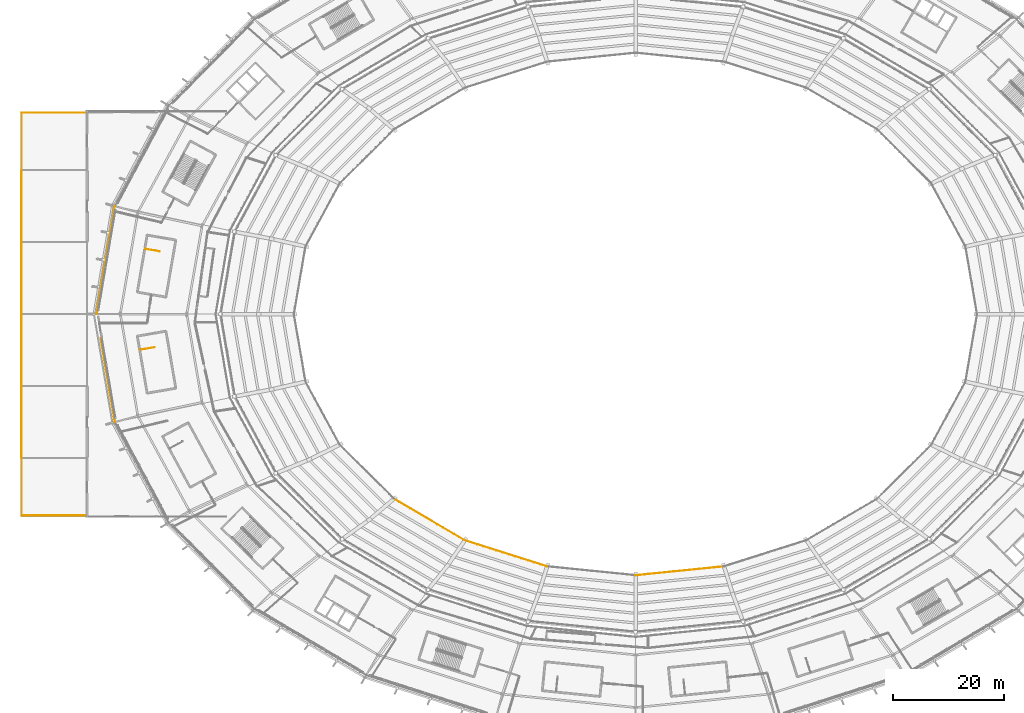
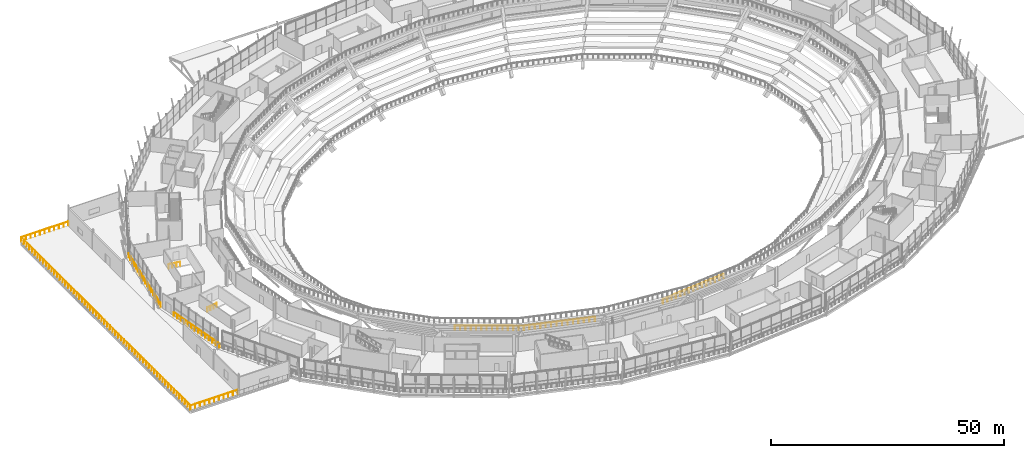
# One storey, part 111 of 126: 8 railings.
"""IFC4 building model written with IfcOpenShell, lengths in metres."""

from ifc_helpers import new_model, si_unit, direction, frame, origin, origin_2d, place, context, subcontext, project, spatial, rectangle, extrude, material, type_object, element, save


model = new_model("IFC4")

# Units and contexts
model_context = context("Model", 3, precision=1e-05, world=origin(), true_north=direction((0.0, 1.0)))
body_context = subcontext(model_context, "Body", "Model", "MODEL_VIEW")
ifc_project = project(units=[si_unit("LENGTHUNIT", "METRE"), si_unit("AREAUNIT", "SQUARE_METRE"), si_unit("VOLUMEUNIT", "CUBIC_METRE"), si_unit("PLANEANGLEUNIT", "RADIAN"), si_unit("MASSUNIT", "GRAM", prefix="KILO")], contexts=[model_context])

# Site, building, storey
site_placement = place(None, origin())
site = spatial("IfcSite", under=ifc_project, at=site_placement, CompositionType="ELEMENT")
building_placement = place(site_placement, origin())
building = spatial("IfcBuilding", under=site, at=building_placement, Name="Zlatoyarsky Gate Stadium", CompositionType="ELEMENT")
storey_placement = place(building_placement, frame((0.0, 0.0, 20.800048828125)))
storey = spatial("IfcBuildingStorey", under=building, at=storey_placement, Name="L04", CompositionType="ELEMENT", Elevation=20.800048828125)

# Railings
ifc_material_1 = material(Name="Galvanised steel sightline guardrail", Category="steel")
railing_type_1 = type_object("IfcRailingType", Name="BOWL FRONT SIGHTLINE GUARDRAIL 1150", PredefinedType="GUARDRAIL", material=ifc_material_1)
railing_1_placement = place(storey_placement, frame((67.406982421875, 46.659912109375, -4.400146484375)))
element("IfcRailing", 1, at=railing_1_placement, inside=storey, type_object=railing_type_1, Name="Upper bowl front guardrail 15", PredefinedType="GUARDRAIL", context=body_context, shape_type="SweptSolid", body=[
    extrude(rectangle(XDim=0.048095703125, YDim=0.048095703125, at=origin_2d()), frame((0.0, 0.0, 1.1259765625), z_axis=(0.862456472838, -0.506131240351, 0.0), x_axis=(0.506131240351, 0.862456472838, 0.0)), (0.0, 0.0, 1.0), 14.80419921875),
    extrude(rectangle(XDim=0.0419921875, YDim=0.0419921875, at=origin_2d()), origin(), (0.0, 0.0, 1.0), 1.101806640625),
    extrude(rectangle(XDim=0.0419921875, YDim=0.0419921875, at=origin_2d()), frame((0.982177734375, -0.576416015625, 0.0)), (0.0, 0.0, 1.0), 1.101806640625),
    extrude(rectangle(XDim=0.0419921875, YDim=0.0419921875, at=origin_2d()), frame((1.96435546875, -1.15283203125, 0.0)), (0.0, 0.0, 1.0), 1.101806640625),
    extrude(rectangle(XDim=0.0419921875, YDim=0.0419921875, at=origin_2d()), frame((2.946533203125, -1.729248046875, 0.0)), (0.0, 0.0, 1.0), 1.101806640625),
    extrude(rectangle(XDim=0.0419921875, YDim=0.0419921875, at=origin_2d()), frame((3.9287109375, -2.305419921875, 0.0)), (0.0, 0.0, 1.0), 1.101806640625),
    extrude(rectangle(XDim=0.0419921875, YDim=0.0419921875, at=origin_2d()), frame((4.910888671875, -2.8818359375, 0.0)), (0.0, 0.0, 1.0), 1.101806640625),
    extrude(rectangle(XDim=0.0419921875, YDim=0.0419921875, at=origin_2d()), frame((5.89306640625, -3.458251953125, 0.0)), (0.0, 0.0, 1.0), 1.101806640625),
    extrude(rectangle(XDim=0.0419921875, YDim=0.0419921875, at=origin_2d()), frame((6.875, -4.03466796875, 0.0)), (0.0, 0.0, 1.0), 1.101806640625),
    extrude(rectangle(XDim=0.0419921875, YDim=0.0419921875, at=origin_2d()), frame((7.857177734375, -4.611083984375, 0.0)), (0.0, 0.0, 1.0), 1.101806640625),
    extrude(rectangle(XDim=0.0419921875, YDim=0.0419921875, at=origin_2d()), frame((8.83935546875, -5.1875, 0.0)), (0.0, 0.0, 1.0), 1.101806640625),
    extrude(rectangle(XDim=0.0419921875, YDim=0.0419921875, at=origin_2d()), frame((9.821533203125, -5.763671875, 0.0)), (0.0, 0.0, 1.0), 1.101806640625),
    extrude(rectangle(XDim=0.0419921875, YDim=0.0419921875, at=origin_2d()), frame((10.8037109375, -6.340087890625, 0.0)), (0.0, 0.0, 1.0), 1.101806640625),
    extrude(rectangle(XDim=0.0419921875, YDim=0.0419921875, at=origin_2d()), frame((11.785888671875, -6.91650390625, 0.0)), (0.0, 0.0, 1.0), 1.101806640625),
    extrude(rectangle(XDim=0.0419921875, YDim=0.0419921875, at=origin_2d()), frame((12.76806640625, -7.492919921875, 0.0)), (0.0, 0.0, 1.0), 1.101806640625),
])
railing_2_placement = place(storey_placement, frame((80.175048828125, 39.1669921875, -4.400146484375)))
element("IfcRailing", 2, at=railing_2_placement, inside=storey, type_object=railing_type_1, Name="Upper bowl front guardrail 16", PredefinedType="GUARDRAIL", context=body_context, shape_type="SweptSolid", body=[
    extrude(rectangle(XDim=0.048095703125, YDim=0.048095703125, at=origin_2d()), frame((0.0, 0.0, 1.1259765625), z_axis=(0.953304525626, -0.30201073064, 0.0), x_axis=(0.30201073064, 0.953304525626, 0.0)), (0.0, 0.0, 1.0), 15.596923828125),
    extrude(rectangle(XDim=0.0419921875, YDim=0.0419921875, at=origin_2d()), origin(), (0.0, 0.0, 1.0), 1.101806640625),
    extrude(rectangle(XDim=0.0419921875, YDim=0.0419921875, at=origin_2d()), frame((1.143798828125, -0.3623046875, 0.0)), (0.0, 0.0, 1.0), 1.101806640625),
    extrude(rectangle(XDim=0.0419921875, YDim=0.0419921875, at=origin_2d()), frame((2.28759765625, -0.724609375, 0.0)), (0.0, 0.0, 1.0), 1.101806640625),
    extrude(rectangle(XDim=0.0419921875, YDim=0.0419921875, at=origin_2d()), frame((3.43115234375, -1.0869140625, 0.0)), (0.0, 0.0, 1.0), 1.101806640625),
    extrude(rectangle(XDim=0.0419921875, YDim=0.0419921875, at=origin_2d()), frame((4.574951171875, -1.449462890625, 0.0)), (0.0, 0.0, 1.0), 1.101806640625),
    extrude(rectangle(XDim=0.0419921875, YDim=0.0419921875, at=origin_2d()), frame((5.71875, -1.811767578125, 0.0)), (0.0, 0.0, 1.0), 1.101806640625),
    extrude(rectangle(XDim=0.0419921875, YDim=0.0419921875, at=origin_2d()), frame((6.862548828125, -2.174072265625, 0.0)), (0.0, 0.0, 1.0), 1.101806640625),
    extrude(rectangle(XDim=0.0419921875, YDim=0.0419921875, at=origin_2d()), frame((8.006103515625, -2.536376953125, 0.0)), (0.0, 0.0, 1.0), 1.101806640625),
    extrude(rectangle(XDim=0.0419921875, YDim=0.0419921875, at=origin_2d()), frame((9.14990234375, -2.898681640625, 0.0)), (0.0, 0.0, 1.0), 1.101806640625),
    extrude(rectangle(XDim=0.0419921875, YDim=0.0419921875, at=origin_2d()), frame((10.293701171875, -3.260986328125, 0.0)), (0.0, 0.0, 1.0), 1.101806640625),
    extrude(rectangle(XDim=0.0419921875, YDim=0.0419921875, at=origin_2d()), frame((11.4375, -3.62353515625, 0.0)), (0.0, 0.0, 1.0), 1.101806640625),
    extrude(rectangle(XDim=0.0419921875, YDim=0.0419921875, at=origin_2d()), frame((12.5810546875, -3.98583984375, 0.0)), (0.0, 0.0, 1.0), 1.101806640625),
    extrude(rectangle(XDim=0.0419921875, YDim=0.0419921875, at=origin_2d()), frame((13.724853515625, -4.34814453125, 0.0)), (0.0, 0.0, 1.0), 1.101806640625),
    extrude(rectangle(XDim=0.0419921875, YDim=0.0419921875, at=origin_2d()), frame((14.86865234375, -4.71044921875, 0.0)), (0.0, 0.0, 1.0), 1.101806640625),
])
railing_3_placement = place(storey_placement, frame((111.0, 32.85009765625, -4.400146484375)))
element("IfcRailing", 3, at=railing_3_placement, inside=storey, type_object=railing_type_1, Name="Upper bowl front guardrail 18", PredefinedType="GUARDRAIL", context=body_context, shape_type="SweptSolid", body=[
    extrude(rectangle(XDim=0.048095703125, YDim=0.048095703125, at=origin_2d()), frame((0.0, 0.0, 1.1259765625), z_axis=(0.994970193255, 0.100171425733, 0.0), x_axis=(-0.100171425733, 0.994970193255, 0.0)), (0.0, 0.0, 1.0), 16.036865234375),
    extrude(rectangle(XDim=0.0419921875, YDim=0.0419921875, at=origin_2d()), origin(), (0.0, 0.0, 1.0), 1.101806640625),
    extrude(rectangle(XDim=0.0419921875, YDim=0.0419921875, at=origin_2d()), frame((1.1396484375, 0.11474609375, 0.0)), (0.0, 0.0, 1.0), 1.101806640625),
    extrude(rectangle(XDim=0.0419921875, YDim=0.0419921875, at=origin_2d()), frame((2.279541015625, 0.2294921875, 0.0)), (0.0, 0.0, 1.0), 1.101806640625),
    extrude(rectangle(XDim=0.0419921875, YDim=0.0419921875, at=origin_2d()), frame((3.419189453125, 0.34423828125, 0.0)), (0.0, 0.0, 1.0), 1.101806640625),
    extrude(rectangle(XDim=0.0419921875, YDim=0.0419921875, at=origin_2d()), frame((4.558837890625, 0.458984375, 0.0)), (0.0, 0.0, 1.0), 1.101806640625),
    extrude(rectangle(XDim=0.0419921875, YDim=0.0419921875, at=origin_2d()), frame((5.69873046875, 0.57373046875, 0.0)), (0.0, 0.0, 1.0), 1.101806640625),
    extrude(rectangle(XDim=0.0419921875, YDim=0.0419921875, at=origin_2d()), frame((6.83837890625, 0.6884765625, 0.0)), (0.0, 0.0, 1.0), 1.101806640625),
    extrude(rectangle(XDim=0.0419921875, YDim=0.0419921875, at=origin_2d()), frame((7.97802734375, 0.80322265625, 0.0)), (0.0, 0.0, 1.0), 1.101806640625),
    extrude(rectangle(XDim=0.0419921875, YDim=0.0419921875, at=origin_2d()), frame((9.117919921875, 0.91796875, 0.0)), (0.0, 0.0, 1.0), 1.101806640625),
    extrude(rectangle(XDim=0.0419921875, YDim=0.0419921875, at=origin_2d()), frame((10.257568359375, 1.03271484375, 0.0)), (0.0, 0.0, 1.0), 1.101806640625),
    extrude(rectangle(XDim=0.0419921875, YDim=0.0419921875, at=origin_2d()), frame((11.3974609375, 1.1474609375, 0.0)), (0.0, 0.0, 1.0), 1.101806640625),
    extrude(rectangle(XDim=0.0419921875, YDim=0.0419921875, at=origin_2d()), frame((12.537109375, 1.26220703125, 0.0)), (0.0, 0.0, 1.0), 1.101806640625),
    extrude(rectangle(XDim=0.0419921875, YDim=0.0419921875, at=origin_2d()), frame((13.6767578125, 1.376953125, 0.0)), (0.0, 0.0, 1.0), 1.101806640625),
    extrude(rectangle(XDim=0.0419921875, YDim=0.0419921875, at=origin_2d()), frame((14.816650390625, 1.49169921875, 0.0)), (0.0, 0.0, 1.0), 1.101806640625),
    extrude(rectangle(XDim=0.0419921875, YDim=0.0419921875, at=origin_2d()), frame((15.956298828125, 1.6064453125, 0.0)), (0.0, 0.0, 1.0), 1.101806640625),
])
ifc_material_2 = material(Name="Powder-coated steel tubular guardrail", Category="steel")
railing_type_2 = type_object("IfcRailingType", Name="CONCOURSE SLAB EDGE GUARDRAIL 1200", PredefinedType="GUARDRAIL", material=ifc_material_2)
railing_4_placement = place(storey_placement, frame((17.044921875, 99.481201171875, 0.0)))
element("IfcRailing", 4, at=railing_4_placement, inside=storey, type_object=railing_type_2, Name="L04 outer slab edge guardrail 11", PredefinedType="GUARDRAIL", context=body_context, shape_type="SweptSolid", body=[
    extrude(rectangle(XDim=0.048095703125, YDim=0.048095703125, at=origin_2d()), frame((0.0, 0.0, 1.17578125), z_axis=(-0.16772577451, -0.985833690115, 0.0), x_axis=(0.985833690115, -0.16772577451, 0.0)), (0.0, 0.0, 1.0), 19.76123046875),
    extrude(rectangle(XDim=0.0419921875, YDim=0.0419921875, at=origin_2d()), origin(), (0.0, 0.0, 1.0), 1.15185546875),
    extrude(rectangle(XDim=0.0419921875, YDim=0.0419921875, at=origin_2d()), frame((-0.195068359375, -1.14599609375, 0.0)), (0.0, 0.0, 1.0), 1.15185546875),
    extrude(rectangle(XDim=0.0419921875, YDim=0.0419921875, at=origin_2d()), frame((-0.389892578125, -2.2919921875, 0.0)), (0.0, 0.0, 1.0), 1.15185546875),
    extrude(rectangle(XDim=0.0419921875, YDim=0.0419921875, at=origin_2d()), frame((-0.5849609375, -3.437744140625, 0.0)), (0.0, 0.0, 1.0), 1.15185546875),
    extrude(rectangle(XDim=0.0419921875, YDim=0.0419921875, at=origin_2d()), frame((-0.77978515625, -4.583740234375, 0.0)), (0.0, 0.0, 1.0), 1.15185546875),
    extrude(rectangle(XDim=0.0419921875, YDim=0.0419921875, at=origin_2d()), frame((-0.974853515625, -5.729736328125, 0.0)), (0.0, 0.0, 1.0), 1.15185546875),
    extrude(rectangle(XDim=0.0419921875, YDim=0.0419921875, at=origin_2d()), frame((-1.169921875, -6.875732421875, 0.0)), (0.0, 0.0, 1.0), 1.15185546875),
    extrude(rectangle(XDim=0.0419921875, YDim=0.0419921875, at=origin_2d()), frame((-1.36474609375, -8.021728515625, 0.0)), (0.0, 0.0, 1.0), 1.15185546875),
    extrude(rectangle(XDim=0.0419921875, YDim=0.0419921875, at=origin_2d()), frame((-1.559814453125, -9.167724609375, 0.0)), (0.0, 0.0, 1.0), 1.15185546875),
    extrude(rectangle(XDim=0.0419921875, YDim=0.0419921875, at=origin_2d()), frame((-1.754638671875, -10.3134765625, 0.0)), (0.0, 0.0, 1.0), 1.15185546875),
    extrude(rectangle(XDim=0.0419921875, YDim=0.0419921875, at=origin_2d()), frame((-1.94970703125, -11.45947265625, 0.0)), (0.0, 0.0, 1.0), 1.15185546875),
    extrude(rectangle(XDim=0.0419921875, YDim=0.0419921875, at=origin_2d()), frame((-2.14453125, -12.60546875, 0.0)), (0.0, 0.0, 1.0), 1.15185546875),
    extrude(rectangle(XDim=0.0419921875, YDim=0.0419921875, at=origin_2d()), frame((-2.339599609375, -13.75146484375, 0.0)), (0.0, 0.0, 1.0), 1.15185546875),
    extrude(rectangle(XDim=0.0419921875, YDim=0.0419921875, at=origin_2d()), frame((-2.53466796875, -14.8974609375, 0.0)), (0.0, 0.0, 1.0), 1.15185546875),
    extrude(rectangle(XDim=0.0419921875, YDim=0.0419921875, at=origin_2d()), frame((-2.7294921875, -16.04345703125, 0.0)), (0.0, 0.0, 1.0), 1.15185546875),
    extrude(rectangle(XDim=0.0419921875, YDim=0.0419921875, at=origin_2d()), frame((-2.924560546875, -17.189208984375, 0.0)), (0.0, 0.0, 1.0), 1.15185546875),
    extrude(rectangle(XDim=0.0419921875, YDim=0.0419921875, at=origin_2d()), frame((-3.119384765625, -18.335205078125, 0.0)), (0.0, 0.0, 1.0), 1.15185546875),
    extrude(rectangle(XDim=0.0419921875, YDim=0.0419921875, at=origin_2d()), frame((-3.314453125, -19.481201171875, 0.0)), (0.0, 0.0, 1.0), 1.15185546875),
])
railing_5_placement = place(storey_placement, frame((14.476806640625, 75.613037109375, 0.0)))
element("IfcRailing", 5, at=railing_5_placement, inside=storey, type_object=railing_type_2, Name="L04 outer slab edge guardrail 12", PredefinedType="GUARDRAIL", context=body_context, shape_type="SweptSolid", body=[
    extrude(rectangle(XDim=0.048095703125, YDim=0.048095703125, at=origin_2d()), frame((0.0, 0.0, 1.17578125), z_axis=(0.167728460192, -0.98583323318, 0.0), x_axis=(0.98583323318, 0.167728460192, 0.0)), (0.0, 0.0, 1.0), 15.31103515625),
    extrude(rectangle(XDim=0.0419921875, YDim=0.0419921875, at=origin_2d()), origin(), (0.0, 0.0, 1.0), 1.15185546875),
    extrude(rectangle(XDim=0.0419921875, YDim=0.0419921875, at=origin_2d()), frame((0.197509765625, -1.1611328125, 0.0)), (0.0, 0.0, 1.0), 1.15185546875),
    extrude(rectangle(XDim=0.0419921875, YDim=0.0419921875, at=origin_2d()), frame((0.39501953125, -2.322265625, 0.0)), (0.0, 0.0, 1.0), 1.15185546875),
    extrude(rectangle(XDim=0.0419921875, YDim=0.0419921875, at=origin_2d()), frame((0.592529296875, -3.4833984375, 0.0)), (0.0, 0.0, 1.0), 1.15185546875),
    extrude(rectangle(XDim=0.0419921875, YDim=0.0419921875, at=origin_2d()), frame((0.790283203125, -4.644287109375, 0.0)), (0.0, 0.0, 1.0), 1.15185546875),
    extrude(rectangle(XDim=0.0419921875, YDim=0.0419921875, at=origin_2d()), frame((0.98779296875, -5.805419921875, 0.0)), (0.0, 0.0, 1.0), 1.15185546875),
    extrude(rectangle(XDim=0.0419921875, YDim=0.0419921875, at=origin_2d()), frame((1.185302734375, -6.966552734375, 0.0)), (0.0, 0.0, 1.0), 1.15185546875),
    extrude(rectangle(XDim=0.0419921875, YDim=0.0419921875, at=origin_2d()), frame((1.3828125, -8.127685546875, 0.0)), (0.0, 0.0, 1.0), 1.15185546875),
    extrude(rectangle(XDim=0.0419921875, YDim=0.0419921875, at=origin_2d()), frame((1.580322265625, -9.288818359375, 0.0)), (0.0, 0.0, 1.0), 1.15185546875),
    extrude(rectangle(XDim=0.0419921875, YDim=0.0419921875, at=origin_2d()), frame((1.77783203125, -10.449951171875, 0.0)), (0.0, 0.0, 1.0), 1.15185546875),
    extrude(rectangle(XDim=0.0419921875, YDim=0.0419921875, at=origin_2d()), frame((1.9755859375, -11.61083984375, 0.0)), (0.0, 0.0, 1.0), 1.15185546875),
    extrude(rectangle(XDim=0.0419921875, YDim=0.0419921875, at=origin_2d()), frame((2.173095703125, -12.77197265625, 0.0)), (0.0, 0.0, 1.0), 1.15185546875),
    extrude(rectangle(XDim=0.0419921875, YDim=0.0419921875, at=origin_2d()), frame((2.37060546875, -13.93310546875, 0.0)), (0.0, 0.0, 1.0), 1.15185546875),
    extrude(rectangle(XDim=0.0419921875, YDim=0.0419921875, at=origin_2d()), frame((2.568115234375, -15.09423828125, 0.0)), (0.0, 0.0, 1.0), 1.15185546875),
])
ifc_material_3 = material(Name="Laminated safety glass and stainless steel balustrade", Category="steel")
railing_type_3 = type_object("IfcRailingType", Name="LAMINATED GLASS AND STEEL TERRACE BALUSTRADE 1150", PredefinedType="BALUSTRADE", material=ifc_material_3)
railing_6_placement = place(storey_placement, frame((11.85009765625, 43.64990234375, 0.0)))
element("IfcRailing", 6, at=railing_6_placement, inside=storey, type_object=railing_type_3, Name="West L04 roof terrace perimeter balustrade", PredefinedType="BALUSTRADE", context=body_context, shape_type="SweptSolid", body=[
    extrude(rectangle(XDim=0.048095703125, YDim=0.048095703125, at=origin_2d()), frame((0.0, 0.0, 1.1259765625), z_axis=(-1.0, 0.0, 0.0), x_axis=(0.0, -1.0, 0.0)), (0.0, 0.0, 1.0), 11.7001953125),
    extrude(rectangle(XDim=0.048095703125, YDim=0.048095703125, at=origin_2d()), frame((-11.7001953125, 0.0, 1.1259765625), z_axis=(0.0, 1.0, 0.0), x_axis=(-1.0, 0.0, 0.0)), (0.0, 0.0, 1.0), 72.7001953125),
    extrude(rectangle(XDim=0.048095703125, YDim=0.048095703125, at=origin_2d()), frame((-11.7001953125, 72.7001953125, 1.1259765625), z_axis=(1.0, 0.0, 0.0), x_axis=(0.0, 1.0, 0.0)), (0.0, 0.0, 1.0), 11.7001953125),
    extrude(rectangle(XDim=0.0419921875, YDim=0.0419921875, at=origin_2d()), origin(), (0.0, 0.0, 1.0), 1.101806640625),
    extrude(rectangle(XDim=0.0419921875, YDim=0.0419921875, at=origin_2d()), frame((-1.169921875, 0.0, 0.0)), (0.0, 0.0, 1.0), 1.101806640625),
    extrude(rectangle(XDim=0.0419921875, YDim=0.0419921875, at=origin_2d()), frame((-2.340087890625, 0.0, 0.0)), (0.0, 0.0, 1.0), 1.101806640625),
    extrude(rectangle(XDim=0.0419921875, YDim=0.0419921875, at=origin_2d()), frame((-3.510009765625, 0.0, 0.0)), (0.0, 0.0, 1.0), 1.101806640625),
    extrude(rectangle(XDim=0.0419921875, YDim=0.0419921875, at=origin_2d()), frame((-4.68017578125, 0.0, 0.0)), (0.0, 0.0, 1.0), 1.101806640625),
    extrude(rectangle(XDim=0.0419921875, YDim=0.0419921875, at=origin_2d()), frame((-5.85009765625, 0.0, 0.0)), (0.0, 0.0, 1.0), 1.101806640625),
    extrude(rectangle(XDim=0.0419921875, YDim=0.0419921875, at=origin_2d()), frame((-7.02001953125, 0.0, 0.0)), (0.0, 0.0, 1.0), 1.101806640625),
    extrude(rectangle(XDim=0.0419921875, YDim=0.0419921875, at=origin_2d()), frame((-8.190185546875, 0.0, 0.0)), (0.0, 0.0, 1.0), 1.101806640625),
    extrude(rectangle(XDim=0.0419921875, YDim=0.0419921875, at=origin_2d()), frame((-9.360107421875, 0.0, 0.0)), (0.0, 0.0, 1.0), 1.101806640625),
    extrude(rectangle(XDim=0.0419921875, YDim=0.0419921875, at=origin_2d()), frame((-10.5302734375, 0.0, 0.0)), (0.0, 0.0, 1.0), 1.101806640625),
    extrude(rectangle(XDim=0.0419921875, YDim=0.0419921875, at=origin_2d()), frame((-11.7001953125, 0.0, 0.0)), (0.0, 0.0, 1.0), 1.101806640625),
    extrude(rectangle(XDim=0.0419921875, YDim=0.0419921875, at=origin_2d()), frame((-11.7001953125, 1.19189453125, 0.0)), (0.0, 0.0, 1.0), 1.101806640625),
    extrude(rectangle(XDim=0.0419921875, YDim=0.0419921875, at=origin_2d()), frame((-11.7001953125, 2.383544921875, 0.0)), (0.0, 0.0, 1.0), 1.101806640625),
    extrude(rectangle(XDim=0.0419921875, YDim=0.0419921875, at=origin_2d()), frame((-11.7001953125, 3.575439453125, 0.0)), (0.0, 0.0, 1.0), 1.101806640625),
    extrude(rectangle(XDim=0.0419921875, YDim=0.0419921875, at=origin_2d()), frame((-11.7001953125, 4.767333984375, 0.0)), (0.0, 0.0, 1.0), 1.101806640625),
    extrude(rectangle(XDim=0.0419921875, YDim=0.0419921875, at=origin_2d()), frame((-11.7001953125, 5.958984375, 0.0)), (0.0, 0.0, 1.0), 1.101806640625),
    extrude(rectangle(XDim=0.0419921875, YDim=0.0419921875, at=origin_2d()), frame((-11.7001953125, 7.15087890625, 0.0)), (0.0, 0.0, 1.0), 1.101806640625),
    extrude(rectangle(XDim=0.0419921875, YDim=0.0419921875, at=origin_2d()), frame((-11.7001953125, 8.342529296875, 0.0)), (0.0, 0.0, 1.0), 1.101806640625),
    extrude(rectangle(XDim=0.0419921875, YDim=0.0419921875, at=origin_2d()), frame((-11.7001953125, 9.534423828125, 0.0)), (0.0, 0.0, 1.0), 1.101806640625),
    extrude(rectangle(XDim=0.0419921875, YDim=0.0419921875, at=origin_2d()), frame((-11.7001953125, 10.726318359375, 0.0)), (0.0, 0.0, 1.0), 1.101806640625),
    extrude(rectangle(XDim=0.0419921875, YDim=0.0419921875, at=origin_2d()), frame((-11.7001953125, 11.91796875, 0.0)), (0.0, 0.0, 1.0), 1.101806640625),
    extrude(rectangle(XDim=0.0419921875, YDim=0.0419921875, at=origin_2d()), frame((-11.7001953125, 13.10986328125, 0.0)), (0.0, 0.0, 1.0), 1.101806640625),
    extrude(rectangle(XDim=0.0419921875, YDim=0.0419921875, at=origin_2d()), frame((-11.7001953125, 14.3017578125, 0.0)), (0.0, 0.0, 1.0), 1.101806640625),
    extrude(rectangle(XDim=0.0419921875, YDim=0.0419921875, at=origin_2d()), frame((-11.7001953125, 15.493408203125, 0.0)), (0.0, 0.0, 1.0), 1.101806640625),
    extrude(rectangle(XDim=0.0419921875, YDim=0.0419921875, at=origin_2d()), frame((-11.7001953125, 16.685302734375, 0.0)), (0.0, 0.0, 1.0), 1.101806640625),
    extrude(rectangle(XDim=0.0419921875, YDim=0.0419921875, at=origin_2d()), frame((-11.7001953125, 17.877197265625, 0.0)), (0.0, 0.0, 1.0), 1.101806640625),
    extrude(rectangle(XDim=0.0419921875, YDim=0.0419921875, at=origin_2d()), frame((-11.7001953125, 19.06884765625, 0.0)), (0.0, 0.0, 1.0), 1.101806640625),
    extrude(rectangle(XDim=0.0419921875, YDim=0.0419921875, at=origin_2d()), frame((-11.7001953125, 20.2607421875, 0.0)), (0.0, 0.0, 1.0), 1.101806640625),
    extrude(rectangle(XDim=0.0419921875, YDim=0.0419921875, at=origin_2d()), frame((-11.7001953125, 21.45263671875, 0.0)), (0.0, 0.0, 1.0), 1.101806640625),
    extrude(rectangle(XDim=0.0419921875, YDim=0.0419921875, at=origin_2d()), frame((-11.7001953125, 22.644287109375, 0.0)), (0.0, 0.0, 1.0), 1.101806640625),
    extrude(rectangle(XDim=0.0419921875, YDim=0.0419921875, at=origin_2d()), frame((-11.7001953125, 23.836181640625, 0.0)), (0.0, 0.0, 1.0), 1.101806640625),
    extrude(rectangle(XDim=0.0419921875, YDim=0.0419921875, at=origin_2d()), frame((-11.7001953125, 25.02783203125, 0.0)), (0.0, 0.0, 1.0), 1.101806640625),
    extrude(rectangle(XDim=0.0419921875, YDim=0.0419921875, at=origin_2d()), frame((-11.7001953125, 26.2197265625, 0.0)), (0.0, 0.0, 1.0), 1.101806640625),
    extrude(rectangle(XDim=0.0419921875, YDim=0.0419921875, at=origin_2d()), frame((-11.7001953125, 27.41162109375, 0.0)), (0.0, 0.0, 1.0), 1.101806640625),
    extrude(rectangle(XDim=0.0419921875, YDim=0.0419921875, at=origin_2d()), frame((-11.7001953125, 28.603271484375, 0.0)), (0.0, 0.0, 1.0), 1.101806640625),
    extrude(rectangle(XDim=0.0419921875, YDim=0.0419921875, at=origin_2d()), frame((-11.7001953125, 29.795166015625, 0.0)), (0.0, 0.0, 1.0), 1.101806640625),
    extrude(rectangle(XDim=0.0419921875, YDim=0.0419921875, at=origin_2d()), frame((-11.7001953125, 30.987060546875, 0.0)), (0.0, 0.0, 1.0), 1.101806640625),
    extrude(rectangle(XDim=0.0419921875, YDim=0.0419921875, at=origin_2d()), frame((-11.7001953125, 32.1787109375, 0.0)), (0.0, 0.0, 1.0), 1.101806640625),
    extrude(rectangle(XDim=0.0419921875, YDim=0.0419921875, at=origin_2d()), frame((-11.7001953125, 33.37060546875, 0.0)), (0.0, 0.0, 1.0), 1.101806640625),
    extrude(rectangle(XDim=0.0419921875, YDim=0.0419921875, at=origin_2d()), frame((-11.7001953125, 34.5625, 0.0)), (0.0, 0.0, 1.0), 1.101806640625),
    extrude(rectangle(XDim=0.0419921875, YDim=0.0419921875, at=origin_2d()), frame((-11.7001953125, 35.754150390625, 0.0)), (0.0, 0.0, 1.0), 1.101806640625),
    extrude(rectangle(XDim=0.0419921875, YDim=0.0419921875, at=origin_2d()), frame((-11.7001953125, 36.946044921875, 0.0)), (0.0, 0.0, 1.0), 1.101806640625),
    extrude(rectangle(XDim=0.0419921875, YDim=0.0419921875, at=origin_2d()), frame((-11.7001953125, 38.1376953125, 0.0)), (0.0, 0.0, 1.0), 1.101806640625),
    extrude(rectangle(XDim=0.0419921875, YDim=0.0419921875, at=origin_2d()), frame((-11.7001953125, 39.32958984375, 0.0)), (0.0, 0.0, 1.0), 1.101806640625),
    extrude(rectangle(XDim=0.0419921875, YDim=0.0419921875, at=origin_2d()), frame((-11.7001953125, 40.521484375, 0.0)), (0.0, 0.0, 1.0), 1.101806640625),
    extrude(rectangle(XDim=0.0419921875, YDim=0.0419921875, at=origin_2d()), frame((-11.7001953125, 41.713134765625, 0.0)), (0.0, 0.0, 1.0), 1.101806640625),
    extrude(rectangle(XDim=0.0419921875, YDim=0.0419921875, at=origin_2d()), frame((-11.7001953125, 42.905029296875, 0.0)), (0.0, 0.0, 1.0), 1.101806640625),
    extrude(rectangle(XDim=0.0419921875, YDim=0.0419921875, at=origin_2d()), frame((-11.7001953125, 44.096923828125, 0.0)), (0.0, 0.0, 1.0), 1.101806640625),
    extrude(rectangle(XDim=0.0419921875, YDim=0.0419921875, at=origin_2d()), frame((-11.7001953125, 45.28857421875, 0.0)), (0.0, 0.0, 1.0), 1.101806640625),
    extrude(rectangle(XDim=0.0419921875, YDim=0.0419921875, at=origin_2d()), frame((-11.7001953125, 46.48046875, 0.0)), (0.0, 0.0, 1.0), 1.101806640625),
    extrude(rectangle(XDim=0.0419921875, YDim=0.0419921875, at=origin_2d()), frame((-11.7001953125, 47.67236328125, 0.0)), (0.0, 0.0, 1.0), 1.101806640625),
    extrude(rectangle(XDim=0.0419921875, YDim=0.0419921875, at=origin_2d()), frame((-11.7001953125, 48.864013671875, 0.0)), (0.0, 0.0, 1.0), 1.101806640625),
    extrude(rectangle(XDim=0.0419921875, YDim=0.0419921875, at=origin_2d()), frame((-11.7001953125, 50.055908203125, 0.0)), (0.0, 0.0, 1.0), 1.101806640625),
    extrude(rectangle(XDim=0.0419921875, YDim=0.0419921875, at=origin_2d()), frame((-11.7001953125, 51.24755859375, 0.0)), (0.0, 0.0, 1.0), 1.101806640625),
    extrude(rectangle(XDim=0.0419921875, YDim=0.0419921875, at=origin_2d()), frame((-11.7001953125, 52.439453125, 0.0)), (0.0, 0.0, 1.0), 1.101806640625),
    extrude(rectangle(XDim=0.0419921875, YDim=0.0419921875, at=origin_2d()), frame((-11.7001953125, 53.63134765625, 0.0)), (0.0, 0.0, 1.0), 1.101806640625),
    extrude(rectangle(XDim=0.0419921875, YDim=0.0419921875, at=origin_2d()), frame((-11.7001953125, 54.822998046875, 0.0)), (0.0, 0.0, 1.0), 1.101806640625),
    extrude(rectangle(XDim=0.0419921875, YDim=0.0419921875, at=origin_2d()), frame((-11.7001953125, 56.014892578125, 0.0)), (0.0, 0.0, 1.0), 1.101806640625),
    extrude(rectangle(XDim=0.0419921875, YDim=0.0419921875, at=origin_2d()), frame((-11.7001953125, 57.206787109375, 0.0)), (0.0, 0.0, 1.0), 1.101806640625),
    extrude(rectangle(XDim=0.0419921875, YDim=0.0419921875, at=origin_2d()), frame((-11.7001953125, 58.3984375, 0.0)), (0.0, 0.0, 1.0), 1.101806640625),
    extrude(rectangle(XDim=0.0419921875, YDim=0.0419921875, at=origin_2d()), frame((-11.7001953125, 59.59033203125, 0.0)), (0.0, 0.0, 1.0), 1.101806640625),
    extrude(rectangle(XDim=0.0419921875, YDim=0.0419921875, at=origin_2d()), frame((-11.7001953125, 60.7822265625, 0.0)), (0.0, 0.0, 1.0), 1.101806640625),
    extrude(rectangle(XDim=0.0419921875, YDim=0.0419921875, at=origin_2d()), frame((-11.7001953125, 61.973876953125, 0.0)), (0.0, 0.0, 1.0), 1.101806640625),
    extrude(rectangle(XDim=0.0419921875, YDim=0.0419921875, at=origin_2d()), frame((-11.7001953125, 63.165771484375, 0.0)), (0.0, 0.0, 1.0), 1.101806640625),
    extrude(rectangle(XDim=0.0419921875, YDim=0.0419921875, at=origin_2d()), frame((-11.7001953125, 64.357666015625, 0.0)), (0.0, 0.0, 1.0), 1.101806640625),
    extrude(rectangle(XDim=0.0419921875, YDim=0.0419921875, at=origin_2d()), frame((-11.7001953125, 65.54931640625, 0.0)), (0.0, 0.0, 1.0), 1.101806640625),
    extrude(rectangle(XDim=0.0419921875, YDim=0.0419921875, at=origin_2d()), frame((-11.7001953125, 66.7412109375, 0.0)), (0.0, 0.0, 1.0), 1.101806640625),
    extrude(rectangle(XDim=0.0419921875, YDim=0.0419921875, at=origin_2d()), frame((-11.7001953125, 67.932861328125, 0.0)), (0.0, 0.0, 1.0), 1.101806640625),
    extrude(rectangle(XDim=0.0419921875, YDim=0.0419921875, at=origin_2d()), frame((-11.7001953125, 69.124755859375, 0.0)), (0.0, 0.0, 1.0), 1.101806640625),
    extrude(rectangle(XDim=0.0419921875, YDim=0.0419921875, at=origin_2d()), frame((-11.7001953125, 70.316650390625, 0.0)), (0.0, 0.0, 1.0), 1.101806640625),
    extrude(rectangle(XDim=0.0419921875, YDim=0.0419921875, at=origin_2d()), frame((-11.7001953125, 71.50830078125, 0.0)), (0.0, 0.0, 1.0), 1.101806640625),
    extrude(rectangle(XDim=0.0419921875, YDim=0.0419921875, at=origin_2d()), frame((-11.7001953125, 72.7001953125, 0.0)), (0.0, 0.0, 1.0), 1.101806640625),
    extrude(rectangle(XDim=0.0419921875, YDim=0.0419921875, at=origin_2d()), frame((-10.5302734375, 72.7001953125, 0.0)), (0.0, 0.0, 1.0), 1.101806640625),
    extrude(rectangle(XDim=0.0419921875, YDim=0.0419921875, at=origin_2d()), frame((-9.360107421875, 72.7001953125, 0.0)), (0.0, 0.0, 1.0), 1.101806640625),
    extrude(rectangle(XDim=0.0419921875, YDim=0.0419921875, at=origin_2d()), frame((-8.190185546875, 72.7001953125, 0.0)), (0.0, 0.0, 1.0), 1.101806640625),
    extrude(rectangle(XDim=0.0419921875, YDim=0.0419921875, at=origin_2d()), frame((-7.02001953125, 72.7001953125, 0.0)), (0.0, 0.0, 1.0), 1.101806640625),
    extrude(rectangle(XDim=0.0419921875, YDim=0.0419921875, at=origin_2d()), frame((-5.85009765625, 72.7001953125, 0.0)), (0.0, 0.0, 1.0), 1.101806640625),
    extrude(rectangle(XDim=0.0419921875, YDim=0.0419921875, at=origin_2d()), frame((-4.68017578125, 72.7001953125, 0.0)), (0.0, 0.0, 1.0), 1.101806640625),
    extrude(rectangle(XDim=0.0419921875, YDim=0.0419921875, at=origin_2d()), frame((-3.510009765625, 72.7001953125, 0.0)), (0.0, 0.0, 1.0), 1.101806640625),
    extrude(rectangle(XDim=0.0419921875, YDim=0.0419921875, at=origin_2d()), frame((-2.340087890625, 72.7001953125, 0.0)), (0.0, 0.0, 1.0), 1.101806640625),
    extrude(rectangle(XDim=0.0419921875, YDim=0.0419921875, at=origin_2d()), frame((-1.169921875, 72.7001953125, 0.0)), (0.0, 0.0, 1.0), 1.101806640625),
    extrude(rectangle(XDim=0.0419921875, YDim=0.0419921875, at=origin_2d()), frame((0.0, 72.7001953125, 0.0)), (0.0, 0.0, 1.0), 1.101806640625),
])
ifc_material_4 = material(Name="Powder-coated steel stair guardrail", Category="steel")
railing_type_4 = type_object("IfcRailingType", Name="PAINTED STEEL STAIR WELL GUARDRAIL 1150", PredefinedType="GUARDRAIL", material=ifc_material_4)
railing_7_placement = place(storey_placement, frame((21.6162109375, 73.564208984375, 0.0)))
element("IfcRailing", 7, at=railing_7_placement, inside=storey, type_object=railing_type_4, Name="ST-07 L04 top well guard 1", PredefinedType="GUARDRAIL", context=body_context, shape_type="SweptSolid", body=[
    extrude(rectangle(XDim=0.048095703125, YDim=0.048095703125, at=origin_2d()), frame((0.0, 0.0, 1.1259765625), z_axis=(0.985464995056, 0.169878614071, 0.0), x_axis=(-0.169878614071, 0.985464995056, 0.0)), (0.0, 0.0, 1.0), 2.599853515625),
    extrude(rectangle(XDim=0.0419921875, YDim=0.0419921875, at=origin_2d()), origin(), (0.0, 0.0, 1.0), 1.101806640625),
    extrude(rectangle(XDim=0.0419921875, YDim=0.0419921875, at=origin_2d()), frame((0.85400390625, 0.147216796875, 0.0)), (0.0, 0.0, 1.0), 1.101806640625),
    extrude(rectangle(XDim=0.0419921875, YDim=0.0419921875, at=origin_2d()), frame((1.7080078125, 0.29443359375, 0.0)), (0.0, 0.0, 1.0), 1.101806640625),
    extrude(rectangle(XDim=0.0419921875, YDim=0.0419921875, at=origin_2d()), frame((2.56201171875, 0.441650390625, 0.0)), (0.0, 0.0, 1.0), 1.101806640625),
])
railing_8_placement = place(storey_placement, frame((22.53369140625, 91.75732421875, 0.0)))
element("IfcRailing", 8, at=railing_8_placement, inside=storey, type_object=railing_type_4, Name="ST-18 L04 top well guard 1", PredefinedType="GUARDRAIL", context=body_context, shape_type="SweptSolid", body=[
    extrude(rectangle(XDim=0.048095703125, YDim=0.048095703125, at=origin_2d()), frame((0.0, 0.0, 1.1259765625), z_axis=(0.985451982634, -0.169954081807, 0.0), x_axis=(0.169954081807, 0.985451982634, 0.0)), (0.0, 0.0, 1.0), 2.60009765625),
    extrude(rectangle(XDim=0.0419921875, YDim=0.0419921875, at=origin_2d()), origin(), (0.0, 0.0, 1.0), 1.101806640625),
    extrude(rectangle(XDim=0.0419921875, YDim=0.0419921875, at=origin_2d()), frame((0.85400390625, -0.147216796875, 0.0)), (0.0, 0.0, 1.0), 1.101806640625),
    extrude(rectangle(XDim=0.0419921875, YDim=0.0419921875, at=origin_2d()), frame((1.708251953125, -0.294677734375, 0.0)), (0.0, 0.0, 1.0), 1.101806640625),
    extrude(rectangle(XDim=0.0419921875, YDim=0.0419921875, at=origin_2d()), frame((2.562255859375, -0.44189453125, 0.0)), (0.0, 0.0, 1.0), 1.101806640625),
])

save(model, "model.ifc")
